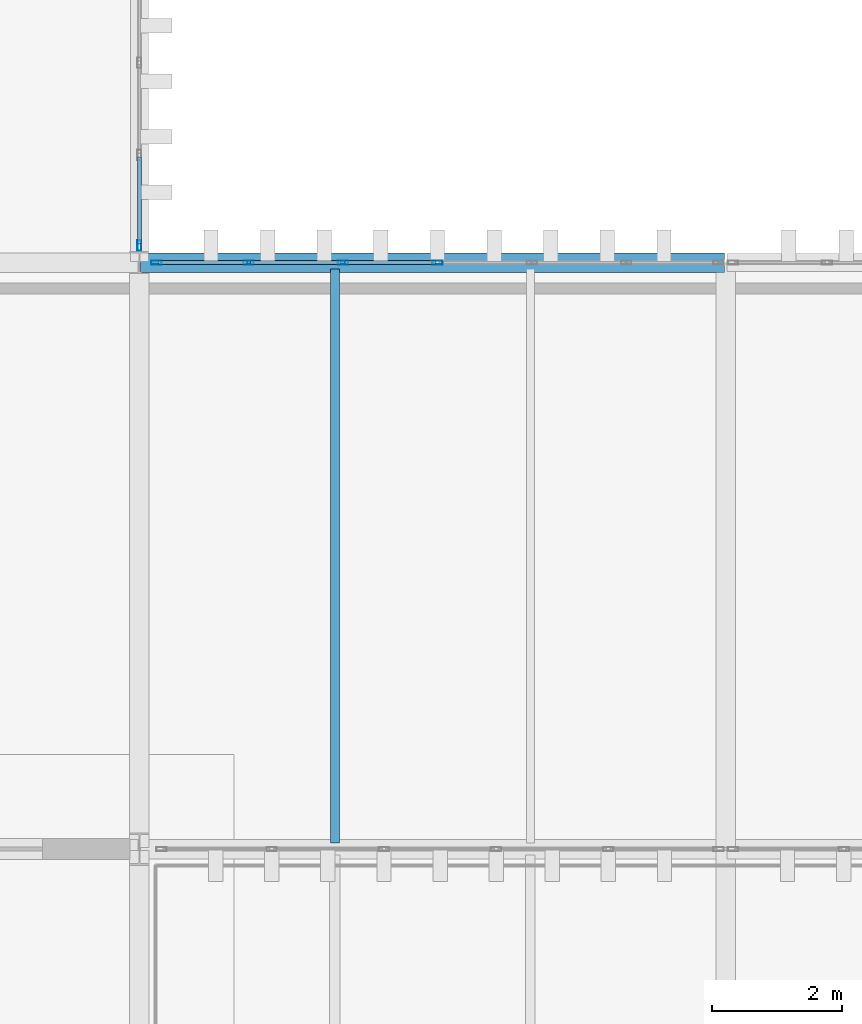
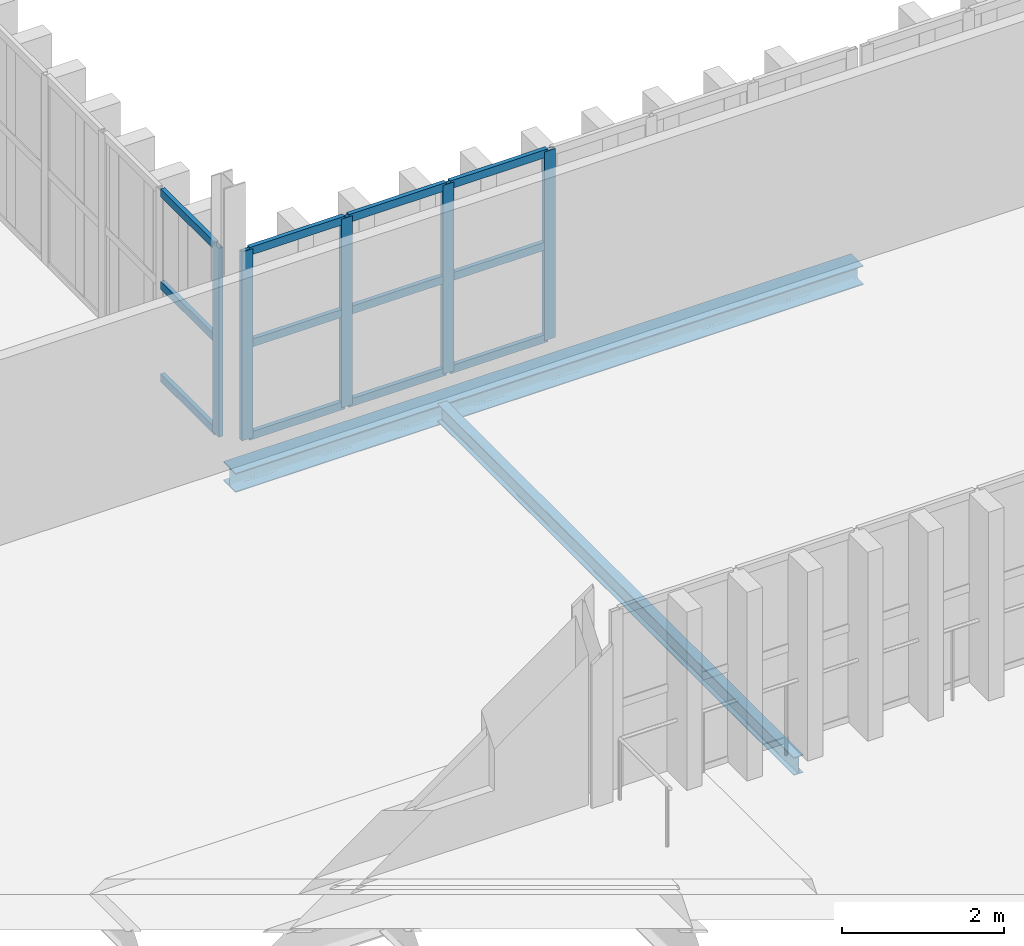
# One storey, part 38 of 102: 17 members, 2 beams, 2 elements without a shape of their own.
"""IFC4 building model written with IfcOpenShell, lengths in metres."""

from ifc_helpers import new_model, si_unit, direction, frame, origin, origin_2d, place, context, subcontext, project, spatial, hollow_rectangle, i_section, extrude, material, layer, layer_set, material_profile, profile_set, type_object, element, aggregate, save


model = new_model("IFC4")

# Units and contexts
model_context = context("Model", 3, precision=1e-05, world=origin(), true_north=direction((0.0, 1.0)))
body_context = subcontext(model_context, "Body", "Model", "MODEL_VIEW")
ifc_project = project(units=[si_unit("LENGTHUNIT", "METRE"), si_unit("AREAUNIT", "SQUARE_METRE"), si_unit("VOLUMEUNIT", "CUBIC_METRE"), si_unit("PLANEANGLEUNIT", "RADIAN"), si_unit("MASSUNIT", "GRAM", prefix="KILO")], contexts=[model_context])

# Site, building, storey
site_placement = place(None, origin())
site = spatial("IfcSite", under=ifc_project, at=site_placement, CompositionType="ELEMENT")
building_placement = place(site_placement, origin())
building = spatial("IfcBuilding", under=site, at=building_placement, Name="Barlavento Convention Centre", CompositionType="ELEMENT")
storey_placement = place(building_placement, frame((0.0, 0.0, 22.800048828125)))
storey = spatial("IfcBuildingStorey", under=building, at=storey_placement, Name="L04", CompositionType="ELEMENT", Elevation=22.800048828125)

# Curtain wall, members
ifc_material_1 = material(Name="Powder-coated aluminium and Low-E glass", Category="aluminium")
ifc_layer = layer(ifc_material_1, 0.179931640625)
ifc_layer_set = layer_set([ifc_layer], Name="ARC-CW-PATIO-B")
curtain_wall_type = type_object("IfcCurtainWallType", Name="ARC-CW-PATIO-B", PredefinedType="NOTDEFINED", material=ifc_layer_set)
curtain_wall_1_placement = place(storey_placement, origin())
curtain_wall_1 = element("IfcCurtainWall", 1, at=curtain_wall_1_placement, inside=storey, type_object=curtain_wall_type, Name="L04 unitised curtain wall CW12", PredefinedType="NOTDEFINED")
ifc_material_2 = material(Name="Powder-coated aluminium", Category="aluminium")
ifc_material_profile_1 = material_profile(ifc_material_2, hollow_rectangle(XDim=0.06005859375, YDim=0.159912109375, WallThickness=0.00390625, at=origin_2d()), Name="AL-MULL 60x160x4")
ifc_profile_set_1 = profile_set([ifc_material_profile_1], Name="Powder-coated aluminium")
member_type_1 = type_object("IfcMemberType", Name="ARC-CWM-60X160", PredefinedType="MULLION", material=ifc_profile_set_1)
member_1_placement = place(storey_placement, frame((135.260009765625, 63.0, 0.0), z_axis=(0.0, 0.0, 1.0), x_axis=(0.0, 1.0, 0.0)))
member_1 = element("IfcMember", 2, at=member_1_placement, type_object=member_type_1, Name="CW12 mullion 1", PredefinedType="MULLION", context=body_context, shape_type="SweptSolid", body=[
    extrude(hollow_rectangle(XDim=0.06005859375, YDim=0.159912109375, WallThickness=0.00390625, at=origin_2d()), origin(), (0.0, 0.0, 1.0), 2.849853515625),
])
member_2_placement = place(storey_placement, frame((136.67822265625, 63.0, 0.0), z_axis=(0.0, 0.0, 1.0), x_axis=(0.0, 1.0, 0.0)))
member_2 = element("IfcMember", 3, at=member_2_placement, type_object=member_type_1, Name="CW12 mullion 2", PredefinedType="MULLION", context=body_context, shape_type="SweptSolid", body=[
    extrude(hollow_rectangle(XDim=0.06005859375, YDim=0.159912109375, WallThickness=0.00390625, at=origin_2d()), origin(), (0.0, 0.0, 1.0), 2.849853515625),
])
member_3_placement = place(storey_placement, frame((138.126708984375, 63.0, 0.0), z_axis=(0.0, 0.0, 1.0), x_axis=(0.0, 1.0, 0.0)))
member_3 = element("IfcMember", 4, at=member_3_placement, type_object=member_type_1, Name="CW12 mullion 3", PredefinedType="MULLION", context=body_context, shape_type="SweptSolid", body=[
    extrude(hollow_rectangle(XDim=0.06005859375, YDim=0.159912109375, WallThickness=0.00390625, at=origin_2d()), origin(), (0.0, 0.0, 1.0), 2.849853515625),
])
member_4_placement = place(storey_placement, frame((139.574951171875, 63.0, 0.0), z_axis=(0.0, 0.0, 1.0), x_axis=(0.0, 1.0, 0.0)))
member_4 = element("IfcMember", 5, at=member_4_placement, type_object=member_type_1, Name="CW12 mullion 4", PredefinedType="MULLION", context=body_context, shape_type="SweptSolid", body=[
    extrude(hollow_rectangle(XDim=0.06005859375, YDim=0.159912109375, WallThickness=0.00390625, at=origin_2d()), origin(), (0.0, 0.0, 1.0), 2.849853515625),
])

# Curtain wall, member
curtain_wall_2_placement = place(storey_placement, origin())
curtain_wall_2 = element("IfcCurtainWall", 6, at=curtain_wall_2_placement, inside=storey, type_object=curtain_wall_type, Name="L04 unitised curtain wall CW12", PredefinedType="NOTDEFINED")
member_5_placement = place(storey_placement, frame((135.0, 63.260009765625, 0.0), z_axis=(0.0, 0.0, 1.0), x_axis=(-1.0, 0.0, 0.0)))
member_5 = element("IfcMember", 7, at=member_5_placement, type_object=member_type_1, Name="CW12 mullion 1", PredefinedType="MULLION", context=body_context, shape_type="SweptSolid", body=[
    extrude(hollow_rectangle(XDim=0.06005859375, YDim=0.159912109375, WallThickness=0.00390625, at=origin_2d()), origin(), (0.0, 0.0, 1.0), 2.849853515625),
])

# Member
ifc_material_profile_2 = material_profile(ifc_material_2, hollow_rectangle(XDim=0.06005859375, YDim=0.1201171875, WallThickness=0.00390625, at=origin_2d()), Name="AL-TRAN 60x120x4")
ifc_profile_set_2 = profile_set([ifc_material_profile_2], Name="Powder-coated aluminium")
member_type_2 = type_object("IfcMemberType", Name="ARC-CWT-60X120", PredefinedType="USERDEFINED", material=ifc_profile_set_2)
member_6_placement = place(storey_placement, frame((135.2900390625, 63.0, 0.030029296875), z_axis=(1.0, 0.0, 0.0), x_axis=(0.0, 1.0, 0.0)))
member_6 = element("IfcMember", 8, at=member_6_placement, type_object=member_type_2, Name="CW12 transom 1.1", ObjectType="TRANSOM", PredefinedType="USERDEFINED", context=body_context, shape_type="SweptSolid", body=[
    extrude(hollow_rectangle(XDim=0.06005859375, YDim=0.1201171875, WallThickness=0.00390625, at=origin_2d()), origin(), (0.0, 0.0, 1.0), 1.3583984375),
])

member_7_placement = place(storey_placement, frame((135.2900390625, 63.0, 1.425048828125), z_axis=(1.0, 0.0, 0.0), x_axis=(0.0, 1.0, 0.0)))
member_7 = element("IfcMember", 9, at=member_7_placement, type_object=member_type_2, Name="CW12 transom 1.2", ObjectType="TRANSOM", PredefinedType="USERDEFINED", context=body_context, shape_type="SweptSolid", body=[
    extrude(hollow_rectangle(XDim=0.06005859375, YDim=0.1201171875, WallThickness=0.00390625, at=origin_2d()), origin(), (0.0, 0.0, 1.0), 1.3583984375),
])

member_8_placement = place(storey_placement, frame((135.2900390625, 63.0, 2.820068359375), z_axis=(1.0, 0.0, 0.0), x_axis=(0.0, 1.0, 0.0)))
member_8 = element("IfcMember", 10, at=member_8_placement, type_object=member_type_2, Name="CW12 transom 1.3", ObjectType="TRANSOM", PredefinedType="USERDEFINED", context=body_context, shape_type="SweptSolid", body=[
    extrude(hollow_rectangle(XDim=0.06005859375, YDim=0.1201171875, WallThickness=0.00390625, at=origin_2d()), origin(), (0.0, 0.0, 1.0), 1.3583984375),
])

member_9_placement = place(storey_placement, frame((136.708251953125, 63.0, 0.030029296875), z_axis=(1.0, 0.0, 0.0), x_axis=(0.0, 1.0, 0.0)))
member_9 = element("IfcMember", 11, at=member_9_placement, type_object=member_type_2, Name="CW12 transom 2.1", ObjectType="TRANSOM", PredefinedType="USERDEFINED", context=body_context, shape_type="SweptSolid", body=[
    extrude(hollow_rectangle(XDim=0.06005859375, YDim=0.1201171875, WallThickness=0.00390625, at=origin_2d()), origin(), (0.0, 0.0, 1.0), 1.388427734375),
])

member_10_placement = place(storey_placement, frame((136.708251953125, 63.0, 1.425048828125), z_axis=(1.0, 0.0, 0.0), x_axis=(0.0, 1.0, 0.0)))
member_10 = element("IfcMember", 12, at=member_10_placement, type_object=member_type_2, Name="CW12 transom 2.2", ObjectType="TRANSOM", PredefinedType="USERDEFINED", context=body_context, shape_type="SweptSolid", body=[
    extrude(hollow_rectangle(XDim=0.06005859375, YDim=0.1201171875, WallThickness=0.00390625, at=origin_2d()), origin(), (0.0, 0.0, 1.0), 1.388427734375),
])

member_11_placement = place(storey_placement, frame((136.708251953125, 63.0, 2.820068359375), z_axis=(1.0, 0.0, 0.0), x_axis=(0.0, 1.0, 0.0)))
member_11 = element("IfcMember", 13, at=member_11_placement, type_object=member_type_2, Name="CW12 transom 2.3", ObjectType="TRANSOM", PredefinedType="USERDEFINED", context=body_context, shape_type="SweptSolid", body=[
    extrude(hollow_rectangle(XDim=0.06005859375, YDim=0.1201171875, WallThickness=0.00390625, at=origin_2d()), origin(), (0.0, 0.0, 1.0), 1.388427734375),
])

member_12_placement = place(storey_placement, frame((138.15673828125, 63.0, 0.030029296875), z_axis=(1.0, 0.0, 0.0), x_axis=(0.0, 1.0, 0.0)))
member_12 = element("IfcMember", 14, at=member_12_placement, type_object=member_type_2, Name="CW12 transom 3.1", ObjectType="TRANSOM", PredefinedType="USERDEFINED", context=body_context, shape_type="SweptSolid", body=[
    extrude(hollow_rectangle(XDim=0.06005859375, YDim=0.1201171875, WallThickness=0.00390625, at=origin_2d()), origin(), (0.0, 0.0, 1.0), 1.38818359375),
])

member_13_placement = place(storey_placement, frame((138.15673828125, 63.0, 1.425048828125), z_axis=(1.0, 0.0, 0.0), x_axis=(0.0, 1.0, 0.0)))
member_13 = element("IfcMember", 15, at=member_13_placement, type_object=member_type_2, Name="CW12 transom 3.2", ObjectType="TRANSOM", PredefinedType="USERDEFINED", context=body_context, shape_type="SweptSolid", body=[
    extrude(hollow_rectangle(XDim=0.06005859375, YDim=0.1201171875, WallThickness=0.00390625, at=origin_2d()), origin(), (0.0, 0.0, 1.0), 1.38818359375),
])

member_14_placement = place(storey_placement, frame((138.15673828125, 63.0, 2.820068359375), z_axis=(1.0, 0.0, 0.0), x_axis=(0.0, 1.0, 0.0)))
member_14 = element("IfcMember", 16, at=member_14_placement, type_object=member_type_2, Name="CW12 transom 3.3", ObjectType="TRANSOM", PredefinedType="USERDEFINED", context=body_context, shape_type="SweptSolid", body=[
    extrude(hollow_rectangle(XDim=0.06005859375, YDim=0.1201171875, WallThickness=0.00390625, at=origin_2d()), origin(), (0.0, 0.0, 1.0), 1.38818359375),
])

aggregate(curtain_wall_1, [member_1, member_2, member_3, member_4, member_6, member_7, member_8, member_9, member_10, member_11, member_12, member_13, member_14])

member_15_placement = place(storey_placement, frame((135.0, 63.2900390625, 0.030029296875), z_axis=(0.0, 1.0, 0.0), x_axis=(-1.0, 0.0, 0.0)))
member_15 = element("IfcMember", 17, at=member_15_placement, type_object=member_type_2, Name="CW12 transom 1.1", ObjectType="TRANSOM", PredefinedType="USERDEFINED", context=body_context, shape_type="SweptSolid", body=[
    extrude(hollow_rectangle(XDim=0.06005859375, YDim=0.1201171875, WallThickness=0.00390625, at=origin_2d()), origin(), (0.0, 0.0, 1.0), 1.328369140625),
])

member_16_placement = place(storey_placement, frame((135.0, 63.2900390625, 1.425048828125), z_axis=(0.0, 1.0, 0.0), x_axis=(-1.0, 0.0, 0.0)))
member_16 = element("IfcMember", 18, at=member_16_placement, type_object=member_type_2, Name="CW12 transom 1.2", ObjectType="TRANSOM", PredefinedType="USERDEFINED", context=body_context, shape_type="SweptSolid", body=[
    extrude(hollow_rectangle(XDim=0.06005859375, YDim=0.1201171875, WallThickness=0.00390625, at=origin_2d()), origin(), (0.0, 0.0, 1.0), 1.328369140625),
])

member_17_placement = place(storey_placement, frame((135.0, 63.2900390625, 2.820068359375), z_axis=(0.0, 1.0, 0.0), x_axis=(-1.0, 0.0, 0.0)))
member_17 = element("IfcMember", 19, at=member_17_placement, type_object=member_type_2, Name="CW12 transom 1.3", ObjectType="TRANSOM", PredefinedType="USERDEFINED", context=body_context, shape_type="SweptSolid", body=[
    extrude(hollow_rectangle(XDim=0.06005859375, YDim=0.1201171875, WallThickness=0.00390625, at=origin_2d()), origin(), (0.0, 0.0, 1.0), 1.328369140625),
])

aggregate(curtain_wall_2, [member_5, member_15, member_16, member_17])

# Beams
ifc_material_3 = material(Name="Steel S355", Category="steel")
ifc_material_profile_3 = material_profile(ifc_material_3, i_section(OverallWidth=0.135009765625, OverallDepth=0.27001953125, WebThickness=0.006591796875, FlangeThickness=0.01025390625, FilletRadius=0.014892578125, at=origin_2d()), Name="IPE 270")
ifc_profile_set_3 = profile_set([ifc_material_profile_3], Name="Steel S355")
beam_type_1 = type_object("IfcBeamType", Name="STR-BM-JST-IPE270", PredefinedType="JOIST", material=ifc_profile_set_3)
beam_1_placement = place(storey_placement, frame((138.0, 54.094970703125, -0.4951171875), z_axis=(0.0, 1.0, 0.0), x_axis=(-1.0, 0.0, 0.0)))
element("IfcBeam", 20, at=beam_1_placement, inside=storey, type_object=beam_type_1, Name="L04 composite floor joist SJ08", PredefinedType="JOIST", context=body_context, shape_type="SweptSolid", body=[
    extrude(i_section(OverallWidth=0.135009765625, OverallDepth=0.27001953125, WebThickness=0.006591796875, FlangeThickness=0.01025390625, FilletRadius=0.014892578125, at=origin_2d()), origin(), (0.0, 0.0, 1.0), 8.81005859375),
])
ifc_material_profile_4 = material_profile(ifc_material_3, i_section(OverallWidth=0.300048828125, OverallDepth=0.2900390625, WebThickness=0.008544921875, FlangeThickness=0.013916015625, FilletRadius=0.027099609375, at=origin_2d()), Name="HEA 300")
ifc_profile_set_4 = profile_set([ifc_material_profile_4], Name="Steel S355")
beam_type_2 = type_object("IfcBeamType", Name="STR-BM-SPN-HEA300", PredefinedType="SPANDREL", material=ifc_profile_set_4)
beam_2_placement = place(storey_placement, frame((135.02001953125, 63.0, -0.505126953125), z_axis=(1.0, 0.0, 0.0), x_axis=(0.0, 1.0, 0.0)))
element("IfcBeam", 21, at=beam_2_placement, inside=storey, type_object=beam_type_2, Name="L04 primary girder SP02", PredefinedType="SPANDREL", context=body_context, shape_type="SweptSolid", body=[
    extrude(i_section(OverallWidth=0.300048828125, OverallDepth=0.2900390625, WebThickness=0.008544921875, FlangeThickness=0.013916015625, FilletRadius=0.027099609375, at=origin_2d()), origin(), (0.0, 0.0, 1.0), 8.9599609375),
])

save(model, "model.ifc")
